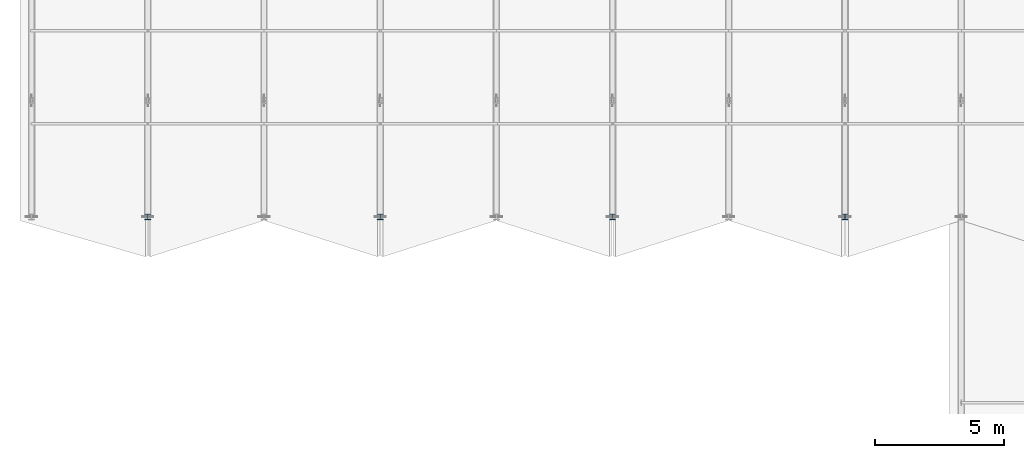
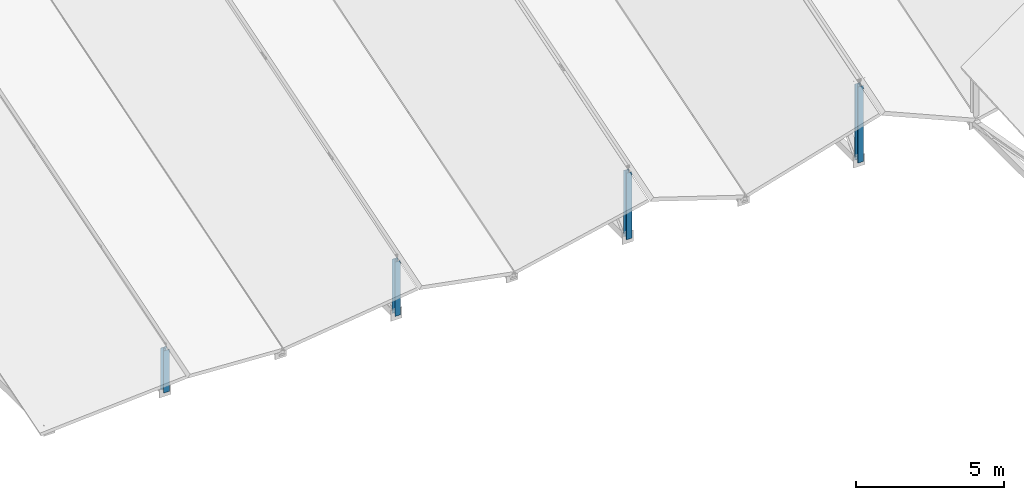
# One storey, part 61 of 142: 4 members.
"""IFC4 building model written with IfcOpenShell, lengths in metres."""

from ifc_helpers import new_model, si_unit, direction, frame, origin, origin_2d, place, context, subcontext, project, spatial, i_section, extrude, material, material_profile, profile_set, type_object, element, save


model = new_model("IFC4")

# Units and contexts
model_context = context("Model", 3, precision=1e-05, world=origin(), true_north=direction((0.0, 1.0)))
body_context = subcontext(model_context, "Body", "Model", "MODEL_VIEW")
ifc_project = project(units=[si_unit("LENGTHUNIT", "METRE"), si_unit("AREAUNIT", "SQUARE_METRE"), si_unit("VOLUMEUNIT", "CUBIC_METRE"), si_unit("PLANEANGLEUNIT", "RADIAN"), si_unit("MASSUNIT", "GRAM", prefix="KILO")], contexts=[model_context])

# Site, building, storey
site_placement = place(None, origin())
site = spatial("IfcSite", under=ifc_project, at=site_placement, CompositionType="ELEMENT")
building_placement = place(site_placement, origin())
building = spatial("IfcBuilding", under=site, at=building_placement, Name="Montelvaro Courts of Justice", CompositionType="ELEMENT")
storey_placement = place(building_placement, frame((0.0, 0.0, 14.39990234375)))
storey = spatial("IfcBuildingStorey", under=building, at=storey_placement, Name="L03", CompositionType="ELEMENT", Elevation=14.39990234375)

# Members
ifc_material = material(Name="Steel S355", Category="steel")
ifc_material_profile = material_profile(ifc_material, i_section(OverallWidth=0.219970703125, OverallDepth=0.2099609375, WebThickness=0.007080078125, FlangeThickness=0.010986328125, at=origin_2d()), Name="HEA 220")
ifc_profile_set = profile_set([ifc_material_profile], Name="Steel S355")
member_type = type_object("IfcMemberType", Name="Mem_HEA220_Post", PredefinedType="POST", material=ifc_profile_set)
member_1_placement = place(storey_placement, frame((22.5, 78.0, -0.2998046875), z_axis=(0.0, 0.0, 1.0), x_axis=(1.0, 0.0, 0.0)))
element("IfcMember", 1, at=member_1_placement, inside=storey, type_object=member_type, Name="Roof Truss Post MP-03 ROOF-V1-RTR01-V0", PredefinedType="POST", context=body_context, shape_type="SweptSolid", body=[
    extrude(i_section(OverallWidth=0.219970703125, OverallDepth=0.2099609375, WebThickness=0.007080078125, FlangeThickness=0.010986328125, at=origin_2d()), origin(), (0.0, 0.0, 1.0), 1.72998046875),
])
member_2_placement = place(storey_placement, frame((31.5, 78.0, -0.2998046875), z_axis=(0.0, 0.0, 1.0), x_axis=(1.0, 0.0, 0.0)))
element("IfcMember", 2, at=member_2_placement, inside=storey, type_object=member_type, Name="Roof Truss Post MP-03 ROOF-V1-RTR02-V0", PredefinedType="POST", context=body_context, shape_type="SweptSolid", body=[
    extrude(i_section(OverallWidth=0.219970703125, OverallDepth=0.2099609375, WebThickness=0.007080078125, FlangeThickness=0.010986328125, at=origin_2d()), origin(), (0.0, 0.0, 1.0), 2.22998046875),
])
member_3_placement = place(storey_placement, frame((40.5, 78.0, -0.2998046875), z_axis=(0.0, 0.0, 1.0), x_axis=(1.0, 0.0, 0.0)))
element("IfcMember", 3, at=member_3_placement, inside=storey, type_object=member_type, Name="Roof Truss Post MP-03 ROOF-V1-RTR03-V0", PredefinedType="POST", context=body_context, shape_type="SweptSolid", body=[
    extrude(i_section(OverallWidth=0.219970703125, OverallDepth=0.2099609375, WebThickness=0.007080078125, FlangeThickness=0.010986328125, at=origin_2d()), origin(), (0.0, 0.0, 1.0), 2.72998046875),
])
member_4_placement = place(storey_placement, frame((49.5, 78.0, -0.2998046875), z_axis=(0.0, 0.0, 1.0), x_axis=(1.0, 0.0, 0.0)))
element("IfcMember", 4, at=member_4_placement, inside=storey, type_object=member_type, Name="Roof Truss Post MP-03 ROOF-V1-RTR04-V0", PredefinedType="POST", context=body_context, shape_type="SweptSolid", body=[
    extrude(i_section(OverallWidth=0.219970703125, OverallDepth=0.2099609375, WebThickness=0.007080078125, FlangeThickness=0.010986328125, at=origin_2d()), origin(), (0.0, 0.0, 1.0), 3.1298828125),
])

save(model, "model.ifc")
